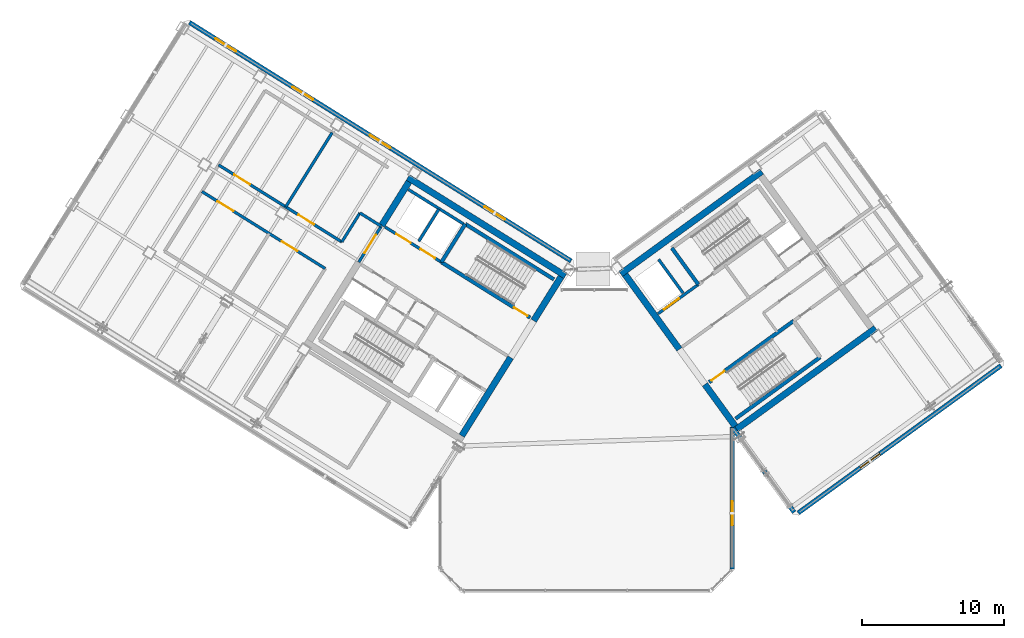
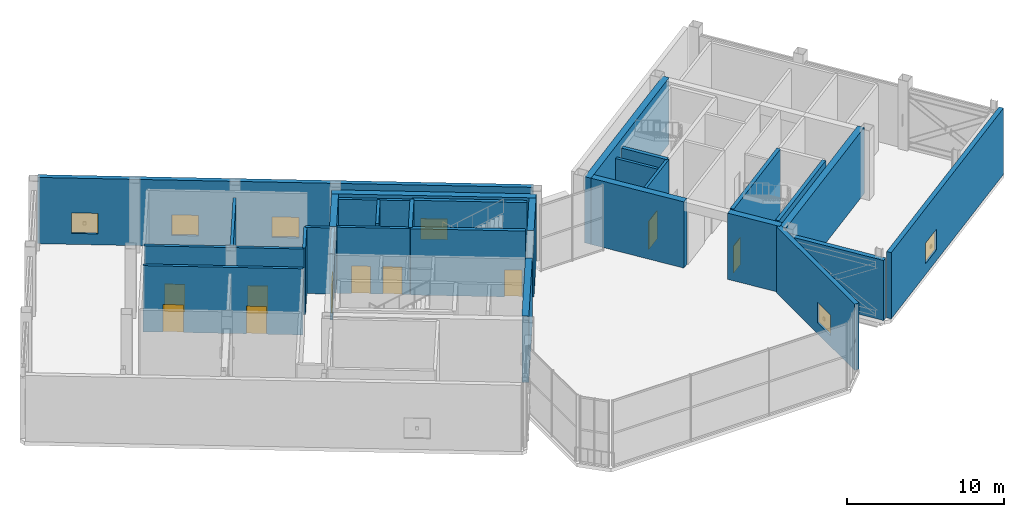
# One storey, part 22 of 32: 29 walls, 10 doors, 6 windows, 16 openings.
"""IFC4 building model written with IfcOpenShell, lengths in metres."""

import ifcopenshell
import ifcopenshell.guid

model = None  # the IFC model being written
_history = None  # IfcOwnerHistory: only IFC2X3 demands one
_inside = {}  # id of a spatial element -> (the spatial element, [elements in it])
_under = {}  # id of a project, library or spatial element -> (it, [spatial elements below it])
_declared = {}  # id of a project -> (the project, [libraries it declares])
_typed = {}  # id of a type object -> (the type object, [elements of that type])
_made_of = {}  # id of a material, layer set ... -> (it, [elements and type objects made of it])


def new_model(schema):
    """Start an empty IFC model of exactly this schema.

    Asked for "IFC4X3", IfcOpenShell would pick the latest addendum, in which some entities
    have other attributes; the version numbers below select the first issue.
    IFC2X3 requires an IfcOwnerHistory on every rooted entity: one is made here for all.
    """
    global model, _history
    if schema == "IFC4X3":
        model = ifcopenshell.file(schema_version=(4, 3, 0, 0))
    else:
        model = ifcopenshell.file(schema=schema)
    _inside.clear()
    _under.clear()
    _declared.clear()
    _typed.clear()
    _made_of.clear()
    _history = None
    if model.schema == "IFC2X3":
        org = make("IfcOrganization", Name="unknown")
        user = make(
            "IfcPersonAndOrganization",
            ThePerson=make("IfcPerson", FamilyName="unknown"),
            TheOrganization=org,
        )
        app = make(
            "IfcApplication",
            ApplicationDeveloper=org,
            Version="unknown",
            ApplicationFullName="unknown",
            ApplicationIdentifier="unknown",
        )
        _history = make(
            "IfcOwnerHistory",
            OwningUser=user,
            OwningApplication=app,
            ChangeAction="ADDED",
            CreationDate=0,
        )
    return model


def make(cls, **values):
    """One entity of the class cls with the attributes given. An attribute that is None is left unset."""
    return model.create_entity(
        cls, **{name: value for name, value in values.items() if value is not None}
    )


def rooted(cls, **values):
    """An entity with a GlobalId (a new one), such as an element, a storey or a relation."""
    return make(cls, GlobalId=ifcopenshell.guid.new(), OwnerHistory=_history, **values)


def si_unit(unit_type, name, prefix=None):
    """IfcSIUnit, for example si_unit("LENGTHUNIT", "METRE", prefix="MILLI")."""
    return make("IfcSIUnit", UnitType=unit_type, Prefix=prefix, Name=name)


def assignment(units):
    """IfcUnitAssignment: the units of a project."""
    return None if units is None else make("IfcUnitAssignment", Units=units)


def point(xyz):
    """IfcCartesianPoint."""
    return None if xyz is None else make("IfcCartesianPoint", Coordinates=xyz)


def direction(xyz):
    """IfcDirection."""
    return None if xyz is None else make("IfcDirection", DirectionRatios=xyz)


def frame(location, z_axis=None, x_axis=None):
    """IfcAxis2Placement3D, a coordinate frame: its origin and axes. An axis left out is left unset."""
    return make(
        "IfcAxis2Placement3D",
        Location=point(location),
        Axis=direction(z_axis),
        RefDirection=direction(x_axis),
    )


def frame_2d(location, x_axis=None):
    """IfcAxis2Placement2D, a coordinate frame in the plane: its origin and x axis."""
    return make(
        "IfcAxis2Placement2D", Location=point(location), RefDirection=direction(x_axis)
    )


def origin():
    """The frame at (0, 0, 0) with its axes left unset."""
    return frame((0.0, 0.0, 0.0))


def place(relative_to, where):
    """IfcLocalPlacement: puts the frame where relative to a parent placement (None: the world)."""
    return make(
        "IfcLocalPlacement", PlacementRelTo=relative_to, RelativePlacement=where
    )


def context(
    kind, dimensions, precision=None, world=None, true_north=None, identifier=None
):
    """IfcGeometricRepresentationContext, for example the 3D "Model" context."""
    return make(
        "IfcGeometricRepresentationContext",
        ContextIdentifier=identifier,
        ContextType=kind,
        CoordinateSpaceDimension=dimensions,
        Precision=precision,
        WorldCoordinateSystem=world,
        TrueNorth=true_north,
    )


def subcontext(parent, identifier, kind, view, scale=None):
    """IfcGeometricRepresentationSubContext, for example "Body" below "Model"."""
    return make(
        "IfcGeometricRepresentationSubContext",
        ContextIdentifier=identifier,
        ContextType=kind,
        ParentContext=parent,
        TargetScale=scale,
        TargetView=view,
    )


def project(units=None, contexts=None):
    """IfcProject with its units and contexts."""
    return rooted(
        "IfcProject",
        Name="project",
        RepresentationContexts=contexts,
        UnitsInContext=assignment(units),
    )


def spatial(cls, under=None, at=None, **own):
    """A site, building, storey or space (cls), placed at a placement, below another one or the project."""
    s = rooted(cls, ObjectPlacement=at, **own)
    if under is not None:
        _under.setdefault(under.id(), (under, []))[1].append(s)
    return s


def profile(cls, at=None, kind="AREA", **sizes):
    """A parametric profile (cls). Its sizes go by their IFC names, for example OverallWidth=200.0."""
    return make(cls, ProfileType=kind, Position=at, **sizes)


def rectangle(**sizes):
    """IfcRectangleProfileDef."""
    return profile("IfcRectangleProfileDef", **sizes)


def extrude(swept, where, along, depth):
    """IfcExtrudedAreaSolid: the profile swept, set in the frame where, extruded along a direction by depth."""
    return make(
        "IfcExtrudedAreaSolid",
        SweptArea=swept,
        Position=where,
        ExtrudedDirection=direction(along),
        Depth=depth,
    )


def shape(context_of_items, identifier, shape_type, items):
    """IfcShapeRepresentation: the items that make up one representation, for example the "Body"."""
    return make(
        "IfcShapeRepresentation",
        ContextOfItems=context_of_items,
        RepresentationIdentifier=identifier,
        RepresentationType=shape_type,
        Items=items,
    )


def source(mapping_origin, context_of_items, identifier, shape_type, items):
    """IfcRepresentationMap: a shape defined once, which mapped items show again and again."""
    return make(
        "IfcRepresentationMap",
        MappingOrigin=mapping_origin,
        MappedRepresentation=shape(context_of_items, identifier, shape_type, items),
    )


def transform(
    local_origin,
    x_axis=None,
    y_axis=None,
    z_axis=None,
    scale=None,
    scale2=None,
    scale3=None,
    uniform=True,
):
    """IfcCartesianTransformationOperator3D, or its non-uniform kind. x_axis, y_axis, z_axis: its Axis1, 2, 3."""
    if uniform:
        return make(
            "IfcCartesianTransformationOperator3D",
            Axis1=direction(x_axis),
            Axis2=direction(y_axis),
            LocalOrigin=point(local_origin),
            Scale=scale,
            Axis3=direction(z_axis),
        )
    return make(
        "IfcCartesianTransformationOperator3DnonUniform",
        Axis1=direction(x_axis),
        Axis2=direction(y_axis),
        LocalOrigin=point(local_origin),
        Scale=scale,
        Axis3=direction(z_axis),
        Scale2=scale2,
        Scale3=scale3,
    )


def mapped(mapping_source, mapping_target):
    """IfcMappedItem: shows the shape of a source again, moved by a transform."""
    return make(
        "IfcMappedItem", MappingSource=mapping_source, MappingTarget=mapping_target
    )


def material(Name=None, Category=None):
    """IfcMaterial."""
    return make("IfcMaterial", Name=Name, Category=Category)


def layer(
    of_material, thickness, ventilated=None, Name=None, Category=None, Priority=None
):
    """IfcMaterialLayer: one layer of a wall or slab, of a material (None: an air gap)."""
    return make(
        "IfcMaterialLayer",
        Material=of_material,
        LayerThickness=thickness,
        IsVentilated=ventilated,
        Name=Name,
        Category=Category,
        Priority=Priority,
    )


def layer_set(layers, Name=None):
    """IfcMaterialLayerSet."""
    return make("IfcMaterialLayerSet", MaterialLayers=layers, LayerSetName=Name)


def made_of(thing, what):
    """Note that an element or type object is made of a material, layer set ...; save() writes the relation."""
    if what is not None:
        _made_of.setdefault(what.id(), (what, []))[1].append(thing)
    return thing


def type_object(cls, material=None, **own):
    """A type object (cls), such as IfcWallType, which elements share."""
    return made_of(rooted(cls, **own), material)


def element(
    cls,
    number,
    at=None,
    inside=None,
    cuts=None,
    type_object=None,
    material=None,
    context=None,
    identifier="Body",
    shape_type=None,
    held_by="IfcProductDefinitionShape",
    body=None,
    shapes=None,
    **own,
):
    """One element of the class cls, such as IfcWall. Its Tag is "e" and its number.

    at: its placement. inside: the storey or other place that contains it. cuts: it is an
    opening in that element (IfcRelVoidsElement). A single representation is given by context,
    identifier, shape_type and body (its items); several are given by shapes. held_by: the class
    of the entity that holds the representations. save() writes the other relations.
    """
    e = rooted(cls, Tag="e%d" % number, ObjectPlacement=at, **own)
    if body is not None:
        shapes = [shape(context, identifier, shape_type, body)]
    if shapes is not None:
        e.Representation = make(held_by, Representations=shapes)
    if inside is not None:
        _inside.setdefault(inside.id(), (inside, []))[1].append(e)
    if cuts is not None:
        rooted(
            "IfcRelVoidsElement", RelatingBuildingElement=cuts, RelatedOpeningElement=e
        )
    if type_object is not None:
        _typed.setdefault(type_object.id(), (type_object, []))[1].append(e)
    return made_of(e, material)


def fill(opening, filler):
    """IfcRelFillsElement: the door or window that sits in an opening."""
    return rooted(
        "IfcRelFillsElement",
        RelatingOpeningElement=opening,
        RelatedBuildingElement=filler,
    )


def aggregate(whole, parts):
    """IfcRelAggregates: a whole, such as a stair, and the parts it consists of."""
    return rooted("IfcRelAggregates", RelatingObject=whole, RelatedObjects=parts)


def save(model, path):
    """Write the relations noted so far, then the file.

    IfcRelAggregates (storeys below a building ...), IfcRelContainedInSpatialStructure (elements
    in a storey), IfcRelDefinesByType, IfcRelAssociatesMaterial and IfcRelDeclares: one each for
    every whole, place, type object, material and project.
    """
    for whole, parts in _under.values():
        aggregate(whole, parts)
    for where, things in _inside.values():
        rooted(
            "IfcRelContainedInSpatialStructure",
            RelatedElements=things,
            RelatingStructure=where,
        )
    for kind, things in _typed.values():
        rooted("IfcRelDefinesByType", RelatedObjects=things, RelatingType=kind)
    for what, things in _made_of.values():
        rooted("IfcRelAssociatesMaterial", RelatedObjects=things, RelatingMaterial=what)
    for by, libraries in _declared.values():
        rooted("IfcRelDeclares", RelatingContext=by, RelatedDefinitions=libraries)
    model.write(path)


model = new_model("IFC4")

# Units and contexts
model_context = context("Model", 3, precision=1e-05, world=origin(), true_north=direction((0.0, 1.0)))
body_context = subcontext(model_context, "Body", "Model", "MODEL_VIEW")
ifc_project = project(units=[si_unit("LENGTHUNIT", "METRE"), si_unit("AREAUNIT", "SQUARE_METRE"), si_unit("VOLUMEUNIT", "CUBIC_METRE"), si_unit("PLANEANGLEUNIT", "RADIAN"), si_unit("MASSUNIT", "GRAM", prefix="KILO")], contexts=[model_context])

# Site, building, storey
site_placement = place(None, origin())
site = spatial("IfcSite", under=ifc_project, at=site_placement, CompositionType="ELEMENT")
building_placement = place(site_placement, origin())
building = spatial("IfcBuilding", under=site, at=building_placement, Name="Tlacorven Tower", CompositionType="ELEMENT")
storey_placement = place(building_placement, frame((0.0, 0.0, 245.699951171875)))
storey = spatial("IfcBuildingStorey", under=building, at=storey_placement, Name="L62", CompositionType="ELEMENT", Elevation=245.699951171875)

# Walls
ifc_material_1 = material(Name="Concrete C50/60", Category="concrete")
ifc_layer_1 = layer(ifc_material_1, 0.449951171875)
ifc_layer_set_1 = layer_set([ifc_layer_1], Name="Concrete C50/60")
wall_type_1 = type_object("IfcWallType", Name="WL-COR-450", PredefinedType="SHEAR", material=ifc_layer_set_1)
wall_1_placement = place(storey_placement, frame((40.53076171875, 24.036376953125, 0.0), z_axis=(0.0, 0.0, 1.0), x_axis=(-0.848048787466, 0.529918157905, 0.0)))
element("IfcWall", 1, at=wall_1_placement, inside=storey, type_object=wall_type_1, Name="L62 W core shear wall S1", PredefinedType="SHEAR", context=body_context, shape_type="SweptSolid", body=[
    extrude(rectangle(XDim=13.0400390625, YDim=0.449951171875, at=frame_2d((6.52001953125, 0.0))), origin(), (0.0, 0.0, 1.0), 5.150146484375),
])
wall_2_placement = place(storey_placement, frame((40.220703125, 23.96484375, 0.0), z_axis=(0.0, 0.0, 1.0), x_axis=(-0.529902075036, -0.848058836916, 0.0)))
element("IfcWall", 2, at=wall_2_placement, inside=storey, type_object=wall_type_1, Name="L62 W core end wall E1.1", PredefinedType="SHEAR", context=body_context, shape_type="SweptSolid", body=[
    extrude(rectangle(XDim=3.625, YDim=0.449951171875, at=frame_2d((1.8125, 0.0))), origin(), (0.0, 0.0, 1.0), 5.150146484375),
])
wall_3_placement = place(storey_placement, frame((36.683349609375, 18.30419921875, 0.0), z_axis=(0.0, 0.0, 1.0), x_axis=(-0.529904039071, -0.848057609704, 0.0)))
element("IfcWall", 3, at=wall_3_placement, inside=storey, type_object=wall_type_1, Name="L62 W core end wall E1.2", PredefinedType="SHEAR", context=body_context, shape_type="SweptSolid", body=[
    extrude(rectangle(XDim=6.47509765625, YDim=0.449951171875, at=frame_2d((3.237548828125, 0.0))), origin(), (0.0, 0.0, 1.0), 5.150146484375),
])
wall_4_placement = place(storey_placement, frame((29.543701171875, 30.636474609375, 0.0), z_axis=(0.0, 0.0, 1.0), x_axis=(-0.529902075036, -0.848058836916, 0.0)))
element("IfcWall", 4, at=wall_4_placement, inside=storey, type_object=wall_type_1, Name="L62 W core end wall E2.1", PredefinedType="SHEAR", context=body_context, shape_type="SweptSolid", body=[
    extrude(rectangle(XDim=3.625, YDim=0.449951171875, at=frame_2d((1.8125, 0.0))), origin(), (0.0, 0.0, 1.0), 5.150146484375),
])
for number, where, z_axis, x_axis, name in (
    (5, (52.3994140625, 13.169189453125, 0.0), (0.0, 0.0, 1.0), (0.809022352778, 0.587777877013, 0.0), "L62 E core shear wall S1"),
    (6, (44.405517578125, 24.171630859375, 0.0), (0.0, 0.0, 1.0), (0.809012867805, 0.587790931986, 0.0), "L62 E core shear wall S2"),
):
    element("IfcWall", number, at=place(storey_placement, frame(where, z_axis=z_axis, x_axis=x_axis)), inside=storey, type_object=wall_type_1, Name=name, PredefinedType="SHEAR", context=body_context, shape_type="SweptSolid", body=[
        extrude(rectangle(XDim=12.239990234375, YDim=0.449951171875, at=frame_2d((6.1201171875, 0.0))), origin(), (0.0, 0.0, 1.0), 5.150146484375),
    ])
wall_5_placement = place(storey_placement, frame((52.44921875, 13.4833984375, 0.0), z_axis=(0.0, 0.0, 1.0), x_axis=(-0.587819244441, 0.808992296542, 0.0)))
element("IfcWall", 7, at=wall_5_placement, inside=storey, type_object=wall_type_1, Name="L62 E core end wall E1.1", PredefinedType="SHEAR", context=body_context, shape_type="SweptSolid", body=[
    extrude(rectangle(XDim=3.625, YDim=0.449951171875, at=frame_2d((1.8125, 0.0))), origin(), (0.0, 0.0, 1.0), 5.150146484375),
])
wall_6_placement = place(storey_placement, frame((48.525634765625, 18.883544921875, 0.0), z_axis=(0.0, 0.0, 1.0), x_axis=(-0.587774812919, 0.809024578921, 0.0)))
element("IfcWall", 8, at=wall_6_placement, inside=storey, type_object=wall_type_1, Name="L62 E core end wall E1.2", PredefinedType="SHEAR", context=body_context, shape_type="SweptSolid", body=[
    extrude(rectangle(XDim=6.47509765625, YDim=0.449951171875, at=frame_2d((3.237548828125, 0.0))), origin(), (0.0, 0.0, 1.0), 5.150146484375),
])

# Wall, openings, windows
ifc_material_2 = material(Name="Precast concrete C45/55", Category="concrete")
ifc_layer_2 = layer(ifc_material_2, 0.320068359375)
ifc_layer_set_2 = layer_set([ifc_layer_2], Name="Precast concrete C45/55")
wall_type_2 = type_object("IfcWallType", Name="WL-EXT-320", PredefinedType="STANDARD", material=ifc_layer_set_2)
wall_7_placement = place(storey_placement, frame((14.13818359375, 41.825439453125, 0.0), z_axis=(0.0, 0.0, 1.0), x_axis=(0.848046498049, -0.529921821731, 0.0)))
wall_7 = element("IfcWall", 9, at=wall_7_placement, inside=storey, type_object=wall_type_2, Name="L62 Masonry-Frame Recessed Facade Wall 3", PredefinedType="STANDARD", context=body_context, shape_type="SweptSolid", body=[
    extrude(rectangle(XDim=31.587646484375, YDim=0.320068359375, at=frame_2d((15.7939453125, 0.0))), origin(), (0.0, 0.0, 1.0), 5.150146484375),
])
opening_1_placement = place(wall_7_placement, frame((2.143798828125, 0.0, 0.85009765625)))
opening_1 = element("IfcOpeningElement", 10, at=opening_1_placement, cuts=wall_7, Name="Opening WN19", PredefinedType="OPENING", context=body_context, shape_type="SweptSolid", body=[
    extrude(rectangle(XDim=1.699951171875, YDim=1.60009765625, at=frame_2d((0.85009765625, 0.800048828125))), frame((0.0, 0.169921875, 0.0), z_axis=(0.0, -1.0, 0.0), x_axis=(1.0, 0.0, 0.0)), (0.0, 0.0, 1.0), 0.340087890625),
])
opening_2_placement = place(wall_7_placement, frame((8.543701171875, 0.0, 0.85009765625)))
opening_2 = element("IfcOpeningElement", 11, at=opening_2_placement, cuts=wall_7, Name="Opening WN19", PredefinedType="OPENING", context=body_context, shape_type="SweptSolid", body=[
    extrude(rectangle(XDim=1.699951171875, YDim=1.60009765625, at=frame_2d((0.85009765625, 0.800048828125))), frame((0.0, 0.169921875, 0.0), z_axis=(0.0, -1.0, 0.0), x_axis=(1.0, 0.0, 0.0)), (0.0, 0.0, 1.0), 0.340087890625),
])
opening_3_placement = place(wall_7_placement, frame((14.943603515625, 0.0, 0.85009765625)))
opening_3 = element("IfcOpeningElement", 12, at=opening_3_placement, cuts=wall_7, Name="Opening WN19", PredefinedType="OPENING", context=body_context, shape_type="SweptSolid", body=[
    extrude(rectangle(XDim=1.699951171875, YDim=1.60009765625, at=frame_2d((0.85009765625, 0.800048828125))), frame((0.0, 0.169921875, 0.0), z_axis=(0.0, -1.0, 0.0), x_axis=(1.0, 0.0, 0.0)), (0.0, 0.0, 1.0), 0.340087890625),
])
opening_4_placement = place(wall_7_placement, frame((24.407958984375, 0.0, 0.85009765625)))
opening_4 = element("IfcOpeningElement", 13, at=opening_4_placement, cuts=wall_7, Name="Opening WN19", PredefinedType="OPENING", context=body_context, shape_type="SweptSolid", body=[
    extrude(rectangle(XDim=1.699951171875, YDim=1.60009765625, at=frame_2d((0.85009765625, 0.800048828125))), frame((0.0, 0.169921875, 0.0), z_axis=(0.0, -1.0, 0.0), x_axis=(1.0, 0.0, 0.0)), (0.0, 0.0, 1.0), 0.340087890625),
])
ifc_material_3 = material(Name="Dark solar low-E double glazing in anodised aluminium frame", Category="aluminium")
window_type = type_object("IfcWindowType", Name="WN-CRN-1700X1800", PartitioningType="SINGLE_PANEL", PredefinedType="WINDOW", material=ifc_material_3)
shared_shape_1 = source(origin(), body_context, "Body", "SweptSolid", [
    extrude(rectangle(XDim=1.699951171875, YDim=1.60009765625, at=frame_2d((0.85009765625, 0.800048828125))), frame((0.0, 0.030029296875, 0.0), z_axis=(0.0, -1.0, 0.0), x_axis=(1.0, 0.0, 0.0)), (0.0, 0.0, 1.0), 0.06005859375),
])
window_1_placement = place(opening_1_placement, origin())
window_1 = element("IfcWindow", 14, at=window_1_placement, inside=storey, type_object=window_type, Name="L62 Acoustic Plant Facade Window 3.1", OverallHeight=1.60009765625, OverallWidth=1.699951171875, PartitioningType="SINGLE_PANEL", PredefinedType="WINDOW", context=body_context, shape_type="MappedRepresentation", body=[
    mapped(shared_shape_1, transform((0.0, 0.0, 0.0), scale=1.0)),
])
fill(opening_1, window_1)
window_2_placement = place(opening_2_placement, origin())
window_2 = element("IfcWindow", 15, at=window_2_placement, inside=storey, type_object=window_type, Name="L62 Acoustic Plant Facade Window 3.2", OverallHeight=1.60009765625, OverallWidth=1.699951171875, PartitioningType="SINGLE_PANEL", PredefinedType="WINDOW", context=body_context, shape_type="MappedRepresentation", body=[
    mapped(shared_shape_1, transform((0.0, 0.0, 0.0), scale=1.0)),
])
fill(opening_2, window_2)
window_3_placement = place(opening_3_placement, origin())
window_3 = element("IfcWindow", 16, at=window_3_placement, inside=storey, type_object=window_type, Name="L62 Acoustic Plant Facade Window 3.3", OverallHeight=1.60009765625, OverallWidth=1.699951171875, PartitioningType="SINGLE_PANEL", PredefinedType="WINDOW", context=body_context, shape_type="MappedRepresentation", body=[
    mapped(shared_shape_1, transform((0.0, 0.0, 0.0), scale=1.0)),
])
fill(opening_3, window_3)
window_4_placement = place(opening_4_placement, origin())
window_4 = element("IfcWindow", 17, at=window_4_placement, inside=storey, type_object=window_type, Name="L62 Acoustic Plant Facade Window 3.4", OverallHeight=1.60009765625, OverallWidth=1.699951171875, PartitioningType="SINGLE_PANEL", PredefinedType="WINDOW", context=body_context, shape_type="MappedRepresentation", body=[
    mapped(shared_shape_1, transform((0.0, 0.0, 0.0), scale=1.0)),
])
fill(opening_4, window_4)

# Wall, opening, window
wall_8_placement = place(storey_placement, frame((71.097900390625, 17.73095703125, 0.0), z_axis=(0.0, 0.0, 1.0), x_axis=(-0.809021120468, -0.587779573171, 0.0)))
wall_8 = element("IfcWall", 18, at=wall_8_placement, inside=storey, type_object=wall_type_2, Name="L62 Masonry-Frame Recessed Facade Wall 6", PredefinedType="STANDARD", context=body_context, shape_type="SweptSolid", body=[
    extrude(rectangle(XDim=17.587646484375, YDim=0.320068359375, at=frame_2d((8.7939453125, 0.0))), origin(), (0.0, 0.0, 1.0), 5.150146484375),
])
opening_5_placement = place(wall_8_placement, frame((10.506591796875, 0.0, 0.85009765625)))
opening_5 = element("IfcOpeningElement", 19, at=opening_5_placement, cuts=wall_8, Name="Opening WN19", PredefinedType="OPENING", context=body_context, shape_type="SweptSolid", body=[
    extrude(rectangle(XDim=1.699951171875, YDim=1.60009765625, at=frame_2d((0.85009765625, 0.800048828125))), frame((0.0, 0.169921875, 0.0), z_axis=(0.0, -1.0, 0.0), x_axis=(1.0, 0.0, 0.0)), (0.0, 0.0, 1.0), 0.340087890625),
])
window_5_placement = place(opening_5_placement, origin())
window_5 = element("IfcWindow", 20, at=window_5_placement, inside=storey, type_object=window_type, Name="L62 Acoustic Plant Facade Window 6.1", OverallHeight=1.60009765625, OverallWidth=1.699951171875, PartitioningType="SINGLE_PANEL", PredefinedType="WINDOW", context=body_context, shape_type="MappedRepresentation", body=[
    mapped(shared_shape_1, transform((0.0, 0.0, 0.0), scale=1.0)),
])
fill(opening_5, window_5)

# Wall
wall_9_placement = place(storey_placement, frame((56.5810546875, 7.43896484375, 0.0), z_axis=(0.0, 0.0, 1.0), x_axis=(-0.587776558368, 0.809023310809, 0.0)))
element("IfcWall", 21, at=wall_9_placement, inside=storey, type_object=wall_type_2, Name="L62 Masonry-Frame Recessed Facade Wall 7", PredefinedType="STANDARD", context=body_context, shape_type="SweptSolid", body=[
    extrude(rectangle(XDim=7.385498046875, YDim=0.320068359375, at=frame_2d((3.69287109375, 0.0))), origin(), (0.0, 0.0, 1.0), 4.675048828125),
])

# Wall, opening, window
wall_10_placement = place(storey_placement, frame((52.239990234375, 13.4140625, 0.0), z_axis=(0.0, 0.0, 1.0), x_axis=(0.0, -1.0, 0.0)))
wall_10 = element("IfcWall", 22, at=wall_10_placement, inside=storey, type_object=wall_type_2, Name="L62 Masonry-Frame Recessed Facade Wall 8", PredefinedType="STANDARD", context=body_context, shape_type="SweptSolid", body=[
    extrude(rectangle(XDim=9.94775390625, YDim=0.320068359375, at=frame_2d((4.973876953125, 0.0))), origin(), (0.0, 0.0, 1.0), 5.150146484375),
])
opening_6_placement = place(wall_10_placement, frame((5.189697265625, 0.0, 0.85009765625)))
opening_6 = element("IfcOpeningElement", 23, at=opening_6_placement, cuts=wall_10, Name="Opening WN19", PredefinedType="OPENING", context=body_context, shape_type="SweptSolid", body=[
    extrude(rectangle(XDim=1.699951171875, YDim=1.60009765625, at=frame_2d((0.85009765625, 0.800048828125))), frame((0.0, 0.169921875, 0.0), z_axis=(0.0, -1.0, 0.0), x_axis=(1.0, 0.0, 0.0)), (0.0, 0.0, 1.0), 0.340087890625),
])
window_6_placement = place(opening_6_placement, origin())
window_6 = element("IfcWindow", 24, at=window_6_placement, inside=storey, type_object=window_type, Name="L62 Acoustic Plant Facade Window 8.1", OverallHeight=1.60009765625, OverallWidth=1.699951171875, PartitioningType="SINGLE_PANEL", PredefinedType="WINDOW", context=body_context, shape_type="MappedRepresentation", body=[
    mapped(shared_shape_1, transform((0.0, 0.0, 0.0), scale=1.0)),
])
fill(opening_6, window_6)

# Wall, openings, doors
ifc_material_4 = material(Name="Concrete C40/50", Category="concrete")
ifc_layer_3 = layer(ifc_material_4, 0.199951171875)
ifc_layer_set_3 = layer_set([ifc_layer_3], Name="Concrete C40/50")
wall_type_3 = type_object("IfcWallType", Name="WL-SHF-200", PredefinedType="STANDARD", material=ifc_layer_set_3)
wall_11_placement = place(storey_placement, frame((31.82177734375, 24.99755859375, 0.0), z_axis=(0.0, 0.0, 1.0), x_axis=(-0.848054125777, 0.529909614701, 0.0)))
wall_11 = element("IfcWall", 25, at=wall_11_placement, inside=storey, type_object=wall_type_3, Name="L62 Core W South Lift Shaft Wall", PredefinedType="STANDARD", context=body_context, shape_type="SweptSolid", body=[
    extrude(rectangle(XDim=4.66796875, YDim=0.199951171875, at=frame_2d((2.333984375, 0.0))), origin(), (0.0, 0.0, 1.0), 5.14013671875),
])
opening_7_placement = place(wall_11_placement, frame((0.52001953125, 0.0, 0.0)))
opening_7 = element("IfcOpeningElement", 26, at=opening_7_placement, cuts=wall_11, Name="Opening LD02", PredefinedType="OPENING", context=body_context, shape_type="SweptSolid", body=[
    extrude(rectangle(XDim=1.199951171875, YDim=2.14990234375, at=frame_2d((0.60009765625, 1.074951171875))), frame((0.0, 0.10986328125, 0.0), z_axis=(0.0, -1.0, 0.0), x_axis=(1.0, 0.0, 0.0)), (0.0, 0.0, 1.0), 0.219970703125),
])
opening_8_placement = place(wall_11_placement, frame((2.5400390625, 0.0, 0.0)))
opening_8 = element("IfcOpeningElement", 27, at=opening_8_placement, cuts=wall_11, Name="Opening LD02", PredefinedType="OPENING", context=body_context, shape_type="SweptSolid", body=[
    extrude(rectangle(XDim=1.199951171875, YDim=2.14990234375, at=frame_2d((0.60009765625, 1.074951171875))), frame((0.0, 0.10986328125, 0.0), z_axis=(0.0, -1.0, 0.0), x_axis=(1.0, 0.0, 0.0)), (0.0, 0.0, 1.0), 0.219970703125),
])
ifc_material_5 = material(Name="Fire-rated steel door assembly", Category="steel")
door_type_1 = type_object("IfcDoorType", Name="DR-LFT-SLID-1200", OperationType="DOUBLE_DOOR_SLIDING", PredefinedType="DOOR", material=ifc_material_5)
shared_shape_2 = source(origin(), body_context, "Body", "SweptSolid", [
    extrude(rectangle(XDim=1.199951171875, YDim=2.14990234375, at=frame_2d((0.60009765625, 1.074951171875))), frame((0.0, 0.02490234375, 0.0), z_axis=(0.0, -1.0, 0.0), x_axis=(1.0, 0.0, 0.0)), (0.0, 0.0, 1.0), 0.050048828125),
])
door_1_placement = place(opening_7_placement, origin())
door_1 = element("IfcDoor", 28, at=door_1_placement, inside=storey, type_object=door_type_1, Name="L62 Lift PL-H1 Sliding Landing Door", OperationType="DOUBLE_DOOR_SLIDING", OverallHeight=2.14990234375, OverallWidth=1.199951171875, PredefinedType="DOOR", context=body_context, shape_type="MappedRepresentation", body=[
    mapped(shared_shape_2, transform((0.0, 0.0, 0.0), scale=1.0)),
])
fill(opening_7, door_1)
door_2_placement = place(opening_8_placement, origin())
door_2 = element("IfcDoor", 29, at=door_2_placement, inside=storey, type_object=door_type_1, Name="L62 Lift PL-H2 Sliding Landing Door", OperationType="DOUBLE_DOOR_SLIDING", OverallHeight=2.14990234375, OverallWidth=1.199951171875, PredefinedType="DOOR", context=body_context, shape_type="MappedRepresentation", body=[
    mapped(shared_shape_2, transform((0.0, 0.0, 0.0), scale=1.0)),
])
fill(opening_8, door_2)

# Walls
wall_12_placement = place(storey_placement, frame((31.645263671875, 28.716064453125, 0.0), z_axis=(0.0, 0.0, 1.0), x_axis=(-0.52986693015, -0.848080795876, 0.0)))
element("IfcWall", 30, at=wall_12_placement, inside=storey, type_object=wall_type_3, Name="L62 partition 12", PredefinedType="STANDARD", context=body_context, shape_type="SweptSolid", body=[
    extrude(rectangle(XDim=2.659912109375, YDim=0.199951171875, at=frame_2d((1.330078125, 0.0))), origin(), (0.0, 0.0, 1.0), 5.14013671875),
])
wall_13_placement = place(storey_placement, frame((33.362548828125, 27.690185546875, 0.0), z_axis=(0.0, 0.0, 1.0), x_axis=(-0.84804957148, 0.529916903215, 0.0)))
element("IfcWall", 31, at=wall_13_placement, inside=storey, type_object=wall_type_3, Name="L62 partition 14", PredefinedType="STANDARD", context=body_context, shape_type="SweptSolid", body=[
    extrude(rectangle(XDim=4.547607421875, YDim=0.199951171875, at=frame_2d((2.27392578125, 0.0))), origin(), (0.0, 0.0, 1.0), 5.14013671875),
])

# Wall, opening, door
wall_14_placement = place(storey_placement, frame((47.02490234375, 21.3779296875, 0.0), z_axis=(0.0, 0.0, 1.0), x_axis=(0.809052869724, 0.587735870941, 0.0)))
wall_14 = element("IfcWall", 32, at=wall_14_placement, inside=storey, type_object=wall_type_3, Name="L62 Core E Firefighting Lift Shaft Front Wall", PredefinedType="STANDARD", context=body_context, shape_type="SweptSolid", body=[
    extrude(rectangle(XDim=3.498046875, YDim=0.199951171875, at=frame_2d((1.7490234375, 0.0))), origin(), (0.0, 0.0, 1.0), 5.14013671875),
])
opening_9_placement = place(wall_14_placement, frame((0.508056640625, 0.0, 0.0)))
opening_9 = element("IfcOpeningElement", 33, at=opening_9_placement, cuts=wall_14, Name="Opening LD03", PredefinedType="OPENING", context=body_context, shape_type="SweptSolid", body=[
    extrude(rectangle(XDim=1.300048828125, YDim=2.199951171875, at=frame_2d((0.64990234375, 1.10009765625))), frame((0.0, 0.10986328125, 0.0), z_axis=(0.0, -1.0, 0.0), x_axis=(1.0, 0.0, 0.0)), (0.0, 0.0, 1.0), 0.219970703125),
])
door_type_2 = type_object("IfcDoorType", Name="DR-LFT-SLID-1300", OperationType="DOUBLE_DOOR_SLIDING", PredefinedType="DOOR", material=ifc_material_5)
shared_shape_3 = source(origin(), body_context, "Body", "SweptSolid", [
    extrude(rectangle(XDim=1.300048828125, YDim=2.199951171875, at=frame_2d((0.64990234375, 1.10009765625))), frame((0.0, 0.02490234375, 0.0), z_axis=(0.0, -1.0, 0.0), x_axis=(1.0, 0.0, 0.0)), (0.0, 0.0, 1.0), 0.050048828125),
])
door_3_placement = place(opening_9_placement, origin())
door_3 = element("IfcDoor", 34, at=door_3_placement, inside=storey, type_object=door_type_2, Name="L62 Lift FFL-E1 Sliding Landing Door", OperationType="DOUBLE_DOOR_SLIDING", OverallHeight=2.199951171875, OverallWidth=1.300048828125, PredefinedType="DOOR", context=body_context, shape_type="MappedRepresentation", body=[
    mapped(shared_shape_3, transform((0.0, 0.0, 0.0), scale=1.0)),
])
fill(opening_9, door_3)

# Wall
wall_15_placement = place(storey_placement, frame((48.78564453125, 22.830078125, 0.0), z_axis=(0.0, 0.0, 1.0), x_axis=(-0.587783856777, 0.809018008275, 0.0)))
element("IfcWall", 35, at=wall_15_placement, inside=storey, type_object=wall_type_3, Name="L62 partition 33", PredefinedType="STANDARD", context=body_context, shape_type="SweptSolid", body=[
    extrude(rectangle(XDim=2.919921875, YDim=0.199951171875, at=frame_2d((1.4599609375, 0.0))), origin(), (0.0, 0.0, 1.0), 5.14013671875),
])

# Wall, openings, doors
wall_16_placement = place(storey_placement, frame((24.83203125, 26.417236328125, 0.0), z_axis=(0.0, 0.0, 1.0), x_axis=(-0.848045364107, 0.529923636401, 0.0)))
wall_16 = element("IfcWall", 36, at=wall_16_placement, inside=storey, type_object=wall_type_3, Name="L62 partition 37", PredefinedType="STANDARD", context=body_context, shape_type="SweptSolid", body=[
    extrude(rectangle(XDim=10.2001953125, YDim=0.199951171875, at=frame_2d((5.10009765625, 0.0))), origin(), (0.0, 0.0, 1.0), 5.14013671875),
])
opening_10_placement = place(wall_16_placement, frame((2.300048828125, 0.0, 0.0)))
opening_10 = element("IfcOpeningElement", 37, at=opening_10_placement, cuts=wall_16, Name="Opening D18", PredefinedType="OPENING", context=body_context, shape_type="SweptSolid", body=[
    extrude(rectangle(XDim=1.300048828125, YDim=2.14990234375, at=frame_2d((0.64990234375, 1.074951171875))), frame((0.0, 0.10986328125, 0.0), z_axis=(0.0, -1.0, 0.0), x_axis=(1.0, 0.0, 0.0)), (0.0, 0.0, 1.0), 0.219970703125),
])
opening_11_placement = place(wall_16_placement, frame((7.60009765625, 0.0, 0.0)))
opening_11 = element("IfcOpeningElement", 38, at=opening_11_placement, cuts=wall_16, Name="Opening D18", PredefinedType="OPENING", context=body_context, shape_type="SweptSolid", body=[
    extrude(rectangle(XDim=1.300048828125, YDim=2.14990234375, at=frame_2d((0.64990234375, 1.074951171875))), frame((0.0, 0.10986328125, 0.0), z_axis=(0.0, -1.0, 0.0), x_axis=(1.0, 0.0, 0.0)), (0.0, 0.0, 1.0), 0.219970703125),
])
door_type_3 = type_object("IfcDoorType", Name="DR-MEP-FD60-1300", OperationType="DOUBLE_DOOR_SINGLE_SWING", PredefinedType="DOOR", material=ifc_material_5)
shared_shape_4 = source(origin(), body_context, "Body", "SweptSolid", [
    extrude(rectangle(XDim=1.300048828125, YDim=2.14990234375, at=frame_2d((0.64990234375, 1.074951171875))), frame((0.0, 0.02490234375, 0.0), z_axis=(0.0, -1.0, 0.0), x_axis=(1.0, 0.0, 0.0)), (0.0, 0.0, 1.0), 0.050048828125),
])
door_4_placement = place(opening_10_placement, frame((1.300048828125, 0.0, 0.0), z_axis=(0.0, 0.0, 1.0), x_axis=(-1.0, 0.0, 0.0)))
door_4 = element("IfcDoor", 39, at=door_4_placement, inside=storey, type_object=door_type_3, Name="L62 door 025", OperationType="DOUBLE_DOOR_SINGLE_SWING", OverallHeight=2.14990234375, OverallWidth=1.300048828125, PredefinedType="DOOR", context=body_context, shape_type="MappedRepresentation", body=[
    mapped(shared_shape_4, transform((0.0, 0.0, 0.0), scale=1.0)),
])
fill(opening_10, door_4)
door_5_placement = place(opening_11_placement, frame((1.300048828125, 0.0, 0.0), z_axis=(0.0, 0.0, 1.0), x_axis=(-1.0, 0.0, 0.0)))
door_5 = element("IfcDoor", 40, at=door_5_placement, inside=storey, type_object=door_type_3, Name="L62 door 026", OperationType="DOUBLE_DOOR_SINGLE_SWING", OverallHeight=2.14990234375, OverallWidth=1.300048828125, PredefinedType="DOOR", context=body_context, shape_type="MappedRepresentation", body=[
    mapped(shared_shape_4, transform((0.0, 0.0, 0.0), scale=1.0)),
])
fill(opening_11, door_5)

wall_17_placement = place(storey_placement, frame((23.666015625, 24.551513671875, 0.0), z_axis=(0.0, 0.0, 1.0), x_axis=(-0.848038642463, 0.529934393004, 0.0)))
wall_17 = element("IfcWall", 41, at=wall_17_placement, inside=storey, type_object=wall_type_3, Name="L62 partition 38", PredefinedType="STANDARD", context=body_context, shape_type="SweptSolid", body=[
    extrude(rectangle(XDim=10.199951171875, YDim=0.199951171875, at=frame_2d((5.10009765625, 0.0))), origin(), (0.0, 0.0, 1.0), 5.14013671875),
])
opening_12_placement = place(wall_17_placement, frame((2.300048828125, 0.0, 0.0)))
opening_12 = element("IfcOpeningElement", 42, at=opening_12_placement, cuts=wall_17, Name="Opening D18", PredefinedType="OPENING", context=body_context, shape_type="SweptSolid", body=[
    extrude(rectangle(XDim=1.300048828125, YDim=2.14990234375, at=frame_2d((0.64990234375, 1.074951171875))), frame((0.0, 0.10986328125, 0.0), z_axis=(0.0, -1.0, 0.0), x_axis=(1.0, 0.0, 0.0)), (0.0, 0.0, 1.0), 0.219970703125),
])
opening_13_placement = place(wall_17_placement, frame((7.60009765625, 0.0, 0.0)))
opening_13 = element("IfcOpeningElement", 43, at=opening_13_placement, cuts=wall_17, Name="Opening D18", PredefinedType="OPENING", context=body_context, shape_type="SweptSolid", body=[
    extrude(rectangle(XDim=1.300048828125, YDim=2.14990234375, at=frame_2d((0.64990234375, 1.074951171875))), frame((0.0, 0.10986328125, 0.0), z_axis=(0.0, -1.0, 0.0), x_axis=(1.0, 0.0, 0.0)), (0.0, 0.0, 1.0), 0.219970703125),
])
door_6_placement = place(opening_12_placement, origin())
door_6 = element("IfcDoor", 44, at=door_6_placement, inside=storey, type_object=door_type_3, Name="L62 door 023", OperationType="DOUBLE_DOOR_SINGLE_SWING", OverallHeight=2.14990234375, OverallWidth=1.300048828125, PredefinedType="DOOR", context=body_context, shape_type="MappedRepresentation", body=[
    mapped(shared_shape_4, transform((0.0, 0.0, 0.0), scale=1.0)),
])
fill(opening_12, door_6)
door_7_placement = place(opening_13_placement, origin())
door_7 = element("IfcDoor", 45, at=door_7_placement, inside=storey, type_object=door_type_3, Name="L62 door 024", OperationType="DOUBLE_DOOR_SINGLE_SWING", OverallHeight=2.14990234375, OverallWidth=1.300048828125, PredefinedType="DOOR", context=body_context, shape_type="MappedRepresentation", body=[
    mapped(shared_shape_4, transform((0.0, 0.0, 0.0), scale=1.0)),
])
fill(opening_13, door_7)

# Wall, opening, door
wall_18_placement = place(storey_placement, frame((27.59619140625, 27.52001953125, 0.0), z_axis=(0.0, 0.0, 1.0), x_axis=(-0.529865479138, -0.848081702443, 0.0)))
wall_18 = element("IfcWall", 46, at=wall_18_placement, inside=storey, type_object=wall_type_3, Name="L62 partition 40", PredefinedType="STANDARD", context=body_context, shape_type="SweptSolid", body=[
    extrude(rectangle(XDim=2.9599609375, YDim=0.199951171875, at=frame_2d((1.47998046875, 0.0))), origin(), (0.0, 0.0, 1.0), 5.14013671875),
])
opening_14_placement = place(wall_18_placement, frame((0.699951171875, 0.0, 0.0)))
opening_14 = element("IfcOpeningElement", 47, at=opening_14_placement, cuts=wall_18, Name="Opening D10", PredefinedType="OPENING", context=body_context, shape_type="SweptSolid", body=[
    extrude(rectangle(XDim=1.5, YDim=2.14990234375, at=frame_2d((0.75, 1.074951171875))), frame((0.0, 0.10986328125, 0.0), z_axis=(0.0, -1.0, 0.0), x_axis=(1.0, 0.0, 0.0)), (0.0, 0.0, 1.0), 0.219970703125),
])
door_type_4 = type_object("IfcDoorType", Name="DR-LOB-FD60-1500", OperationType="DOUBLE_DOOR_SINGLE_SWING", PredefinedType="DOOR", material=ifc_material_5)
shared_shape_5 = source(origin(), body_context, "Body", "SweptSolid", [
    extrude(rectangle(XDim=1.5, YDim=2.14990234375, at=frame_2d((0.75, 1.074951171875))), frame((0.0, 0.02490234375, 0.0), z_axis=(0.0, -1.0, 0.0), x_axis=(1.0, 0.0, 0.0)), (0.0, 0.0, 1.0), 0.050048828125),
])
door_8_placement = place(opening_14_placement, origin())
door_8 = element("IfcDoor", 48, at=door_8_placement, inside=storey, type_object=door_type_4, Name="L62 door 021", OperationType="DOUBLE_DOOR_SINGLE_SWING", OverallHeight=2.14990234375, OverallWidth=1.5, PredefinedType="DOOR", context=body_context, shape_type="MappedRepresentation", body=[
    mapped(shared_shape_5, transform((0.0, 0.0, 0.0), scale=1.0)),
])
fill(opening_14, door_8)

# Walls
wall_19_placement = place(storey_placement, frame((27.59619140625, 27.52001953125, 0.0), z_axis=(0.0, 0.0, 1.0), x_axis=(-0.848037269931, 0.529936589422, 0.0)))
element("IfcWall", 49, at=wall_19_placement, inside=storey, type_object=wall_type_3, Name="L62 partition 45", PredefinedType="STANDARD", context=body_context, shape_type="SweptSolid", body=[
    extrude(rectangle(XDim=1.759765625, YDim=0.199951171875, at=frame_2d((0.8798828125, 0.0))), origin(), (0.0, 0.0, 1.0), 5.14013671875),
])
wall_20_placement = place(storey_placement, frame((26.103759765625, 28.45263671875, 0.0), z_axis=(0.0, 0.0, 1.0), x_axis=(-0.529880066358, -0.848072588448, 0.0)))
element("IfcWall", 50, at=wall_20_placement, inside=storey, type_object=wall_type_3, Name="L62 partition 47", PredefinedType="STANDARD", context=body_context, shape_type="SweptSolid", body=[
    extrude(rectangle(XDim=2.400146484375, YDim=0.199951171875, at=frame_2d((1.2001953125, 0.0))), origin(), (0.0, 0.0, 1.0), 5.14013671875),
])
wall_21_placement = place(storey_placement, frame((24.156005859375, 34.091552734375, 0.0), z_axis=(0.0, 0.0, 1.0), x_axis=(-0.529934707271, -0.84803844608, 0.0)))
element("IfcWall", 51, at=wall_21_placement, inside=storey, type_object=wall_type_3, Name="L62 partition 50", PredefinedType="STANDARD", context=body_context, shape_type="SweptSolid", body=[
    extrude(rectangle(XDim=6.14990234375, YDim=0.199951171875, at=frame_2d((3.074951171875, 0.0))), origin(), (0.0, 0.0, 1.0), 4.675048828125),
])
ifc_layer_4 = layer(ifc_material_1, 0.260009765625)
ifc_layer_set_4 = layer_set([ifc_layer_4], Name="Concrete C50/60")
wall_type_4 = type_object("IfcWallType", Name="WL-STW-260", PredefinedType="SHEAR", material=ifc_layer_set_4)
wall_22_placement = place(storey_placement, frame((39.720947265625, 23.787841796875, 0.0), z_axis=(0.0, 0.0, 1.0), x_axis=(-0.848054434086, 0.529909121291, 0.0)))
element("IfcWall", 52, at=wall_22_placement, inside=storey, type_object=wall_type_4, Name="L62 Stair W2 Far Shear Wall", PredefinedType="SHEAR", context=body_context, shape_type="SweptSolid", body=[
    extrude(rectangle(XDim=7.330078125, YDim=0.260009765625, at=frame_2d((3.6650390625, 0.0))), origin(), (0.0, 0.0, 1.0), 5.150146484375),
])

# Wall, opening, door
wall_23_placement = place(storey_placement, frame((38.04638671875, 21.10791015625, 0.0), z_axis=(0.0, 0.0, 1.0), x_axis=(-0.848054434086, 0.529909121291, 0.0)))
wall_23 = element("IfcWall", 53, at=wall_23_placement, inside=storey, type_object=wall_type_4, Name="L62 Stair W2 Lobby Shear Wall", PredefinedType="SHEAR", context=body_context, shape_type="SweptSolid", body=[
    extrude(rectangle(XDim=7.330078125, YDim=0.260009765625, at=frame_2d((3.6650390625, 0.0))), origin(), (0.0, 0.0, 1.0), 5.150146484375),
])
opening_15_placement = place(wall_23_placement, frame((0.219970703125, 0.0, 0.0)))
opening_15 = element("IfcOpeningElement", 54, at=opening_15_placement, cuts=wall_23, Name="Opening D07", PredefinedType="OPENING", context=body_context, shape_type="SweptSolid", body=[
    extrude(rectangle(XDim=1.10009765625, YDim=2.10009765625, at=frame_2d((0.550048828125, 1.050048828125))), frame((0.0, 0.14013671875, 0.0), z_axis=(0.0, -1.0, 0.0), x_axis=(1.0, 0.0, 0.0)), (0.0, 0.0, 1.0), 0.280029296875),
])
door_type_5 = type_object("IfcDoorType", Name="DR-STR-FD90-1100", OperationType="NOTDEFINED", PredefinedType="DOOR", material=ifc_material_5)
shared_shape_6 = source(origin(), body_context, "Body", "SweptSolid", [
    extrude(rectangle(XDim=1.10009765625, YDim=2.10009765625, at=frame_2d((0.550048828125, 1.050048828125))), frame((0.0, 0.02490234375, 0.0), z_axis=(0.0, -1.0, 0.0), x_axis=(1.0, 0.0, 0.0)), (0.0, 0.0, 1.0), 0.050048828125),
])
door_9_placement = place(opening_15_placement, origin())
door_9 = element("IfcDoor", 55, at=door_9_placement, inside=storey, type_object=door_type_5, Name="L62 Exit Stair W2 Fire Door", OperationType="SINGLE_SWING_LEFT", OverallHeight=2.10009765625, OverallWidth=1.10009765625, PredefinedType="DOOR", context=body_context, shape_type="MappedRepresentation", body=[
    mapped(shared_shape_6, transform((0.0, 0.0, 0.0), scale=1.0)),
])
fill(opening_15, door_9)

# Walls
for number, where, z_axis, x_axis, name in (
    (56, (33.496337890625, 27.677490234375, 0.0), (0.0, 0.0, 1.0), (-0.529908658664, -0.84805472316, 0.0), "L62 Stair W2 East Shear Wall"),
    (57, (49.85498046875, 23.433837890625, 0.0), (0.0, 0.0, 1.0), (-0.58776738483, 0.809029975545, 0.0), "L62 Stair E1 West Shear Wall"),
):
    element("IfcWall", number, at=place(storey_placement, frame(where, z_axis=z_axis, x_axis=x_axis)), inside=storey, type_object=wall_type_4, Name=name, PredefinedType="SHEAR", context=body_context, shape_type="SweptSolid", body=[
        extrude(rectangle(XDim=3.16015625, YDim=0.260009765625, at=frame_2d((1.580078125, 0.0))), origin(), (0.0, 0.0, 1.0), 5.150146484375),
    ])
wall_24_placement = place(storey_placement, frame((52.47216796875, 14.01318359375, 0.0), z_axis=(0.0, 0.0, 1.0), x_axis=(0.809028366311, 0.587769599847, 0.0)))
element("IfcWall", 58, at=wall_24_placement, inside=storey, type_object=wall_type_4, Name="L62 Stair E2 Far Shear Wall", PredefinedType="SHEAR", context=body_context, shape_type="SweptSolid", body=[
    extrude(rectangle(XDim=7.330078125, YDim=0.260009765625, at=frame_2d((3.6650390625, 0.0))), origin(), (0.0, 0.0, 1.0), 5.150146484375),
])

# Wall, opening, door
wall_25_placement = place(storey_placement, frame((50.61474609375, 16.569580078125, 0.0), z_axis=(0.0, 0.0, 1.0), x_axis=(0.809028366311, 0.587769599847, 0.0)))
wall_25 = element("IfcWall", 59, at=wall_25_placement, inside=storey, type_object=wall_type_4, Name="L62 Stair E2 Lobby Shear Wall", PredefinedType="SHEAR", context=body_context, shape_type="SweptSolid", body=[
    extrude(rectangle(XDim=7.330078125, YDim=0.260009765625, at=frame_2d((3.6650390625, 0.0))), origin(), (0.0, 0.0, 1.0), 5.150146484375),
])
opening_16_placement = place(wall_25_placement, frame((0.219970703125, 0.0, 0.0)))
opening_16 = element("IfcOpeningElement", 60, at=opening_16_placement, cuts=wall_25, Name="Opening D07", PredefinedType="OPENING", context=body_context, shape_type="SweptSolid", body=[
    extrude(rectangle(XDim=1.10009765625, YDim=2.10009765625, at=frame_2d((0.550048828125, 1.050048828125))), frame((0.0, 0.14013671875, 0.0), z_axis=(0.0, -1.0, 0.0), x_axis=(1.0, 0.0, 0.0)), (0.0, 0.0, 1.0), 0.280029296875),
])
door_10_placement = place(opening_16_placement, origin())
door_10 = element("IfcDoor", 61, at=door_10_placement, inside=storey, type_object=door_type_5, Name="L62 Exit Stair E2 Fire Door", OperationType="SINGLE_SWING_RIGHT", OverallHeight=2.10009765625, OverallWidth=1.10009765625, PredefinedType="DOOR", context=body_context, shape_type="MappedRepresentation", body=[
    mapped(shared_shape_6, transform((0.0, 0.0, 0.0), scale=1.0)),
])
fill(opening_16, door_10)

save(model, "model.ifc")
